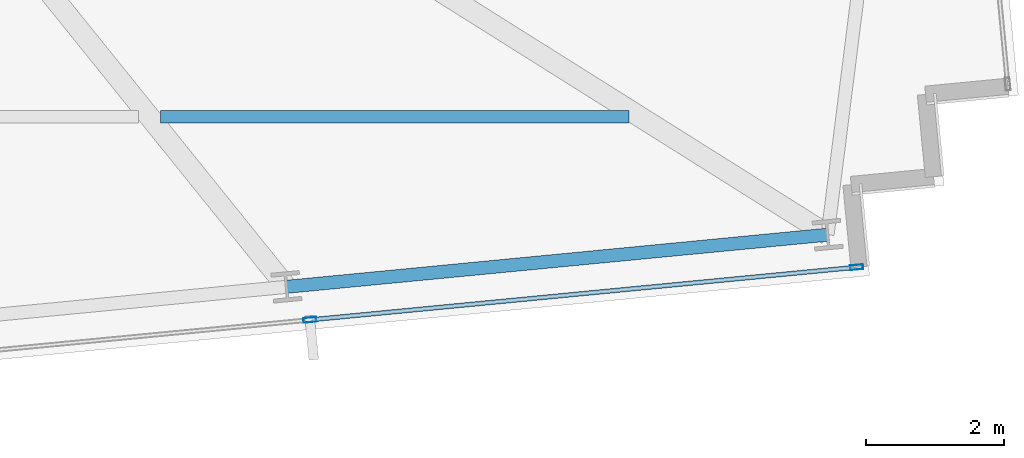
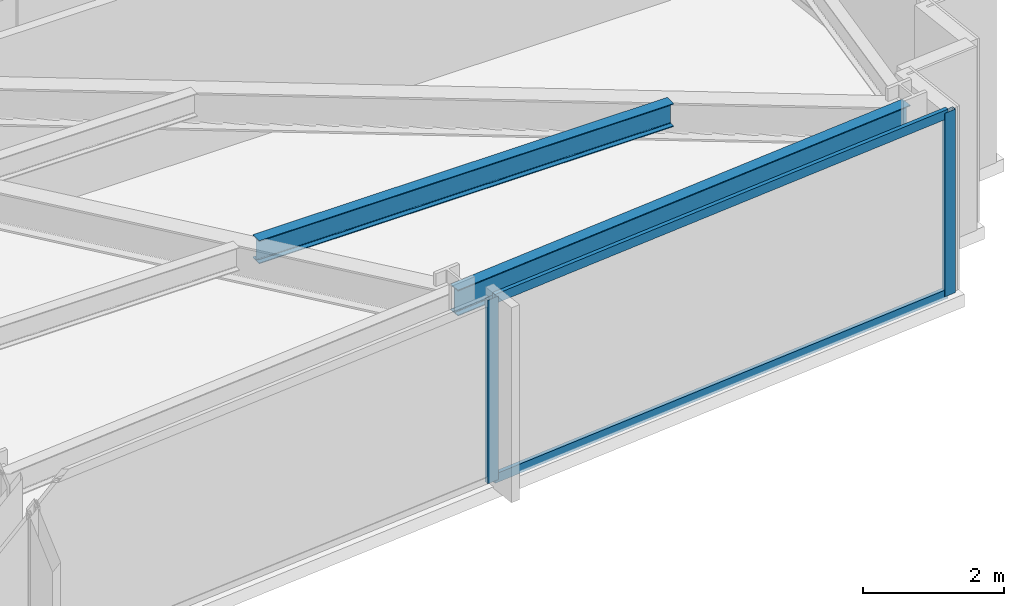
# One storey, part 12 of 32: 4 members, 2 beams, 1 element without a shape of its own.
"""IFC4 building model written with IfcOpenShell, lengths in metres."""

from ifc_helpers import new_model, si_unit, direction, frame, origin, origin_2d, place, context, subcontext, project, spatial, hollow_rectangle, i_section, extrude, material, material_profile, profile_set, type_object, element, aggregate, save


model = new_model("IFC4")

# Units and contexts
model_context = context("Model", 3, precision=1e-05, world=origin(), true_north=direction((0.0, 1.0)))
body_context = subcontext(model_context, "Body", "Model", "MODEL_VIEW")
ifc_project = project(units=[si_unit("LENGTHUNIT", "METRE"), si_unit("AREAUNIT", "SQUARE_METRE"), si_unit("VOLUMEUNIT", "CUBIC_METRE"), si_unit("PLANEANGLEUNIT", "RADIAN"), si_unit("MASSUNIT", "GRAM", prefix="KILO")], contexts=[model_context])

# Site, building, storey
site_placement = place(None, origin())
site = spatial("IfcSite", under=ifc_project, at=site_placement, CompositionType="ELEMENT")
building_placement = place(site_placement, origin())
building = spatial("IfcBuilding", under=site, at=building_placement, Name="Yelkora Congress Tower", CompositionType="ELEMENT")
storey_placement = place(building_placement, frame((0.0, 0.0, 99.89990234375)))
storey = spatial("IfcBuildingStorey", under=building, at=storey_placement, Name="L26", CompositionType="ELEMENT", Elevation=99.89990234375)

# Beams
ifc_material_1 = material(Name="Steel S355J2", Category="steel")
ifc_material_profile_1 = material_profile(ifc_material_1, i_section(OverallWidth=0.179931640625, OverallDepth=0.39990234375, WebThickness=0.008544921875, FlangeThickness=0.013427734375, FilletRadius=0.02099609375, at=origin_2d()), Name="IPE 400")
ifc_profile_set_1 = profile_set([ifc_material_profile_1], Name="Steel S355J2")
beam_type_1 = type_object("IfcBeamType", Name="BM-JOIST-IPE400", PredefinedType="JOIST", material=ifc_profile_set_1)
beam_1_placement = place(storey_placement, frame((65.056396484375, 16.144287109375, 2.97998046875), z_axis=(1.0, 0.0, 0.0), x_axis=(0.0, 1.0, 0.0)))
element("IfcBeam", 1, at=beam_1_placement, inside=storey, type_object=beam_type_1, Name="L26 Composite Floor Joist 10", PredefinedType="JOIST", context=body_context, shape_type="SweptSolid", body=[
    extrude(i_section(OverallWidth=0.179931640625, OverallDepth=0.39990234375, WebThickness=0.008544921875, FlangeThickness=0.013427734375, FilletRadius=0.02099609375, at=origin_2d()), origin(), (0.0, 0.0, 1.0), 6.795166015625),
])
ifc_material_profile_2 = material_profile(ifc_material_1, i_section(OverallWidth=0.18994140625, OverallDepth=0.449951171875, WebThickness=0.009521484375, FlangeThickness=0.0146484375, FilletRadius=0.02099609375, at=origin_2d()), Name="IPE 450")
ifc_profile_set_2 = profile_set([ifc_material_profile_2], Name="Steel S355J2")
beam_type_2 = type_object("IfcBeamType", Name="BM-SPAN-IPE450", PredefinedType="SPANDREL", material=ifc_profile_set_2)
beam_2_placement = place(storey_placement, frame((66.882568359375, 13.67919921875, 2.955078125), z_axis=(0.995395575667, 0.095852219286, 0.0), x_axis=(-0.095852219286, 0.995395575667, 0.0)))
element("IfcBeam", 2, at=beam_2_placement, inside=storey, type_object=beam_type_2, Name="L26 Perimeter Beam 9", PredefinedType="SPANDREL", context=body_context, shape_type="SweptSolid", body=[
    extrude(i_section(OverallWidth=0.18994140625, OverallDepth=0.449951171875, WebThickness=0.009521484375, FlangeThickness=0.0146484375, FilletRadius=0.02099609375, at=origin_2d()), origin(), (0.0, 0.0, 1.0), 7.8857421875),
])

# Curtain wall, members
ifc_material_2 = material(Name="Anodised aluminium and insulated glass", Category="aluminium")
curtain_wall_type = type_object("IfcCurtainWallType", Name="CW-SYS-B2", PredefinedType="NOTDEFINED", material=ifc_material_2)
curtain_wall_placement = place(storey_placement, origin())
curtain_wall = element("IfcCurtainWall", 3, at=curtain_wall_placement, inside=storey, type_object=curtain_wall_type, Name="L26 Unitised Curtain Wall 20", PredefinedType="NOTDEFINED")
ifc_material_3 = material(Name="Anodised aluminium 6063-T6", Category="aluminium")
ifc_material_profile_3 = material_profile(ifc_material_3, hollow_rectangle(XDim=0.070068359375, YDim=0.18994140625, WallThickness=0.00390625, at=origin_2d()), Name="ALU 70x190x4")
ifc_profile_set_3 = profile_set([ifc_material_profile_3], Name="Anodised aluminium 6063-T6")
member_type_1 = type_object("IfcMemberType", Name="MEM-ML-B2", PredefinedType="MULLION", material=ifc_profile_set_3)
member_1_placement = place(storey_placement, frame((75.154052734375, 13.96337890625, 0.0), z_axis=(0.0, 0.0, 1.0), x_axis=(0.095844345816, -0.995396333816, 0.0)))
member_1 = element("IfcMember", 4, at=member_1_placement, type_object=member_type_1, Name="CW-B2 mullion 1", PredefinedType="MULLION", context=body_context, shape_type="SweptSolid", body=[
    extrude(hollow_rectangle(XDim=0.070068359375, YDim=0.18994140625, WallThickness=0.00390625, at=origin_2d()), origin(), (0.0, 0.0, 1.0), 3.18017578125),
])
member_2_placement = place(storey_placement, frame((67.222900390625, 13.19970703125, 0.0), z_axis=(0.0, 0.0, 1.0), x_axis=(0.095844345816, -0.995396333816, 0.0)))
member_2 = element("IfcMember", 5, at=member_2_placement, type_object=member_type_1, Name="CW-B2 mullion 2", PredefinedType="MULLION", context=body_context, shape_type="SweptSolid", body=[
    extrude(hollow_rectangle(XDim=0.070068359375, YDim=0.18994140625, WallThickness=0.00390625, at=origin_2d()), origin(), (0.0, 0.0, 1.0), 3.18017578125),
])
ifc_material_profile_4 = material_profile(ifc_material_3, hollow_rectangle(XDim=0.06494140625, YDim=0.159912109375, WallThickness=0.00390625, at=origin_2d()), Name="ALU 65x160x4")
ifc_profile_set_4 = profile_set([ifc_material_profile_4], Name="Anodised aluminium 6063-T6")
member_type_2 = type_object("IfcMemberType", Name="MEM-TR-B2", PredefinedType="USERDEFINED", material=ifc_profile_set_4)
member_3_placement = place(storey_placement, frame((75.119140625, 13.9599609375, 0.03271484375), z_axis=(-0.995397978421, -0.095827264157, 0.0), x_axis=(0.095827264157, -0.995397978421, 0.0)))
member_3 = element("IfcMember", 6, at=member_3_placement, type_object=member_type_2, Name="CW-B2 transom 1.1", ObjectType="TRANSOM", PredefinedType="USERDEFINED", context=body_context, shape_type="SweptSolid", body=[
    extrude(hollow_rectangle(XDim=0.06494140625, YDim=0.159912109375, WallThickness=0.00390625, at=origin_2d()), origin(), (0.0, 0.0, 1.0), 7.89794921875),
])
member_4_placement = place(storey_placement, frame((75.119140625, 13.9599609375, 3.147705078125), z_axis=(-0.995397978421, -0.095827264157, 0.0), x_axis=(0.095827264157, -0.995397978421, 0.0)))
member_4 = element("IfcMember", 7, at=member_4_placement, type_object=member_type_2, Name="CW-B2 transom 1.2", ObjectType="TRANSOM", PredefinedType="USERDEFINED", context=body_context, shape_type="SweptSolid", body=[
    extrude(hollow_rectangle(XDim=0.06494140625, YDim=0.159912109375, WallThickness=0.00390625, at=origin_2d()), origin(), (0.0, 0.0, 1.0), 7.89794921875),
])
aggregate(curtain_wall, [member_1, member_2, member_3, member_4])

save(model, "model.ifc")
